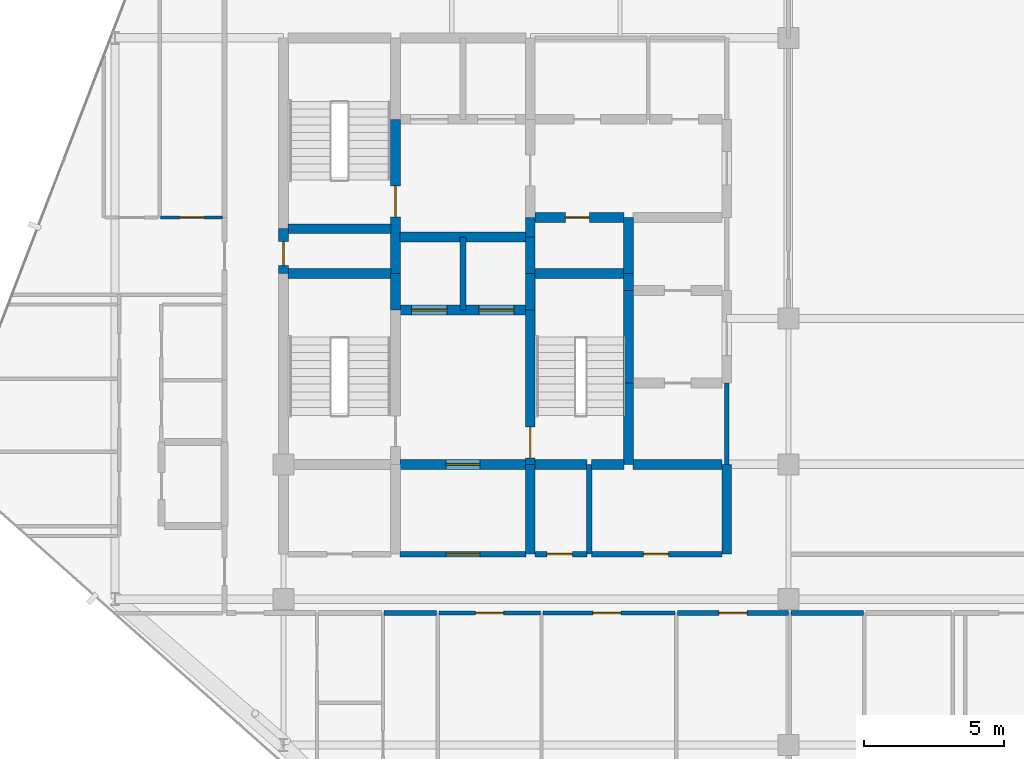
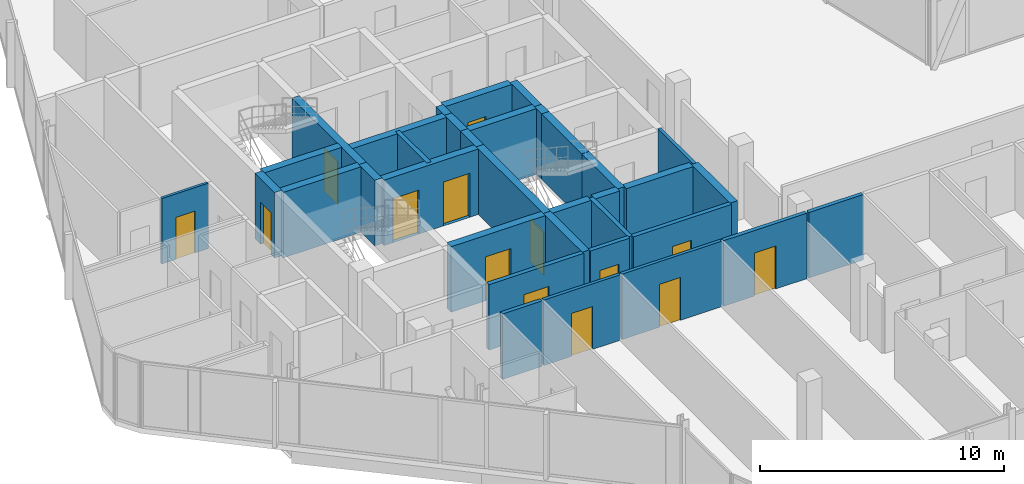
# One storey, part 24 of 28: 35 walls, 14 doors, 14 openings.
"""IFC4 building model written with IfcOpenShell, lengths in metres."""

import ifcopenshell
import ifcopenshell.guid

model = None  # the IFC model being written
_history = None  # IfcOwnerHistory: only IFC2X3 demands one
_inside = {}  # id of a spatial element -> (the spatial element, [elements in it])
_under = {}  # id of a project, library or spatial element -> (it, [spatial elements below it])
_declared = {}  # id of a project -> (the project, [libraries it declares])
_typed = {}  # id of a type object -> (the type object, [elements of that type])
_made_of = {}  # id of a material, layer set ... -> (it, [elements and type objects made of it])


def new_model(schema):
    """Start an empty IFC model of exactly this schema.

    Asked for "IFC4X3", IfcOpenShell would pick the latest addendum, in which some entities
    have other attributes; the version numbers below select the first issue.
    IFC2X3 requires an IfcOwnerHistory on every rooted entity: one is made here for all.
    """
    global model, _history
    if schema == "IFC4X3":
        model = ifcopenshell.file(schema_version=(4, 3, 0, 0))
    else:
        model = ifcopenshell.file(schema=schema)
    _inside.clear()
    _under.clear()
    _declared.clear()
    _typed.clear()
    _made_of.clear()
    _history = None
    if model.schema == "IFC2X3":
        org = make("IfcOrganization", Name="unknown")
        user = make(
            "IfcPersonAndOrganization",
            ThePerson=make("IfcPerson", FamilyName="unknown"),
            TheOrganization=org,
        )
        app = make(
            "IfcApplication",
            ApplicationDeveloper=org,
            Version="unknown",
            ApplicationFullName="unknown",
            ApplicationIdentifier="unknown",
        )
        _history = make(
            "IfcOwnerHistory",
            OwningUser=user,
            OwningApplication=app,
            ChangeAction="ADDED",
            CreationDate=0,
        )
    return model


def make(cls, **values):
    """One entity of the class cls with the attributes given. An attribute that is None is left unset."""
    return model.create_entity(
        cls, **{name: value for name, value in values.items() if value is not None}
    )


def rooted(cls, **values):
    """An entity with a GlobalId (a new one), such as an element, a storey or a relation."""
    return make(cls, GlobalId=ifcopenshell.guid.new(), OwnerHistory=_history, **values)


def si_unit(unit_type, name, prefix=None):
    """IfcSIUnit, for example si_unit("LENGTHUNIT", "METRE", prefix="MILLI")."""
    return make("IfcSIUnit", UnitType=unit_type, Prefix=prefix, Name=name)


def assignment(units):
    """IfcUnitAssignment: the units of a project."""
    return None if units is None else make("IfcUnitAssignment", Units=units)


def point(xyz):
    """IfcCartesianPoint."""
    return None if xyz is None else make("IfcCartesianPoint", Coordinates=xyz)


def direction(xyz):
    """IfcDirection."""
    return None if xyz is None else make("IfcDirection", DirectionRatios=xyz)


def frame(location, z_axis=None, x_axis=None):
    """IfcAxis2Placement3D, a coordinate frame: its origin and axes. An axis left out is left unset."""
    return make(
        "IfcAxis2Placement3D",
        Location=point(location),
        Axis=direction(z_axis),
        RefDirection=direction(x_axis),
    )


def frame_2d(location, x_axis=None):
    """IfcAxis2Placement2D, a coordinate frame in the plane: its origin and x axis."""
    return make(
        "IfcAxis2Placement2D", Location=point(location), RefDirection=direction(x_axis)
    )


def origin():
    """The frame at (0, 0, 0) with its axes left unset."""
    return frame((0.0, 0.0, 0.0))


def place(relative_to, where):
    """IfcLocalPlacement: puts the frame where relative to a parent placement (None: the world)."""
    return make(
        "IfcLocalPlacement", PlacementRelTo=relative_to, RelativePlacement=where
    )


def context(
    kind, dimensions, precision=None, world=None, true_north=None, identifier=None
):
    """IfcGeometricRepresentationContext, for example the 3D "Model" context."""
    return make(
        "IfcGeometricRepresentationContext",
        ContextIdentifier=identifier,
        ContextType=kind,
        CoordinateSpaceDimension=dimensions,
        Precision=precision,
        WorldCoordinateSystem=world,
        TrueNorth=true_north,
    )


def subcontext(parent, identifier, kind, view, scale=None):
    """IfcGeometricRepresentationSubContext, for example "Body" below "Model"."""
    return make(
        "IfcGeometricRepresentationSubContext",
        ContextIdentifier=identifier,
        ContextType=kind,
        ParentContext=parent,
        TargetScale=scale,
        TargetView=view,
    )


def project(units=None, contexts=None):
    """IfcProject with its units and contexts."""
    return rooted(
        "IfcProject",
        Name="project",
        RepresentationContexts=contexts,
        UnitsInContext=assignment(units),
    )


def spatial(cls, under=None, at=None, **own):
    """A site, building, storey or space (cls), placed at a placement, below another one or the project."""
    s = rooted(cls, ObjectPlacement=at, **own)
    if under is not None:
        _under.setdefault(under.id(), (under, []))[1].append(s)
    return s


def profile(cls, at=None, kind="AREA", **sizes):
    """A parametric profile (cls). Its sizes go by their IFC names, for example OverallWidth=200.0."""
    return make(cls, ProfileType=kind, Position=at, **sizes)


def rectangle(**sizes):
    """IfcRectangleProfileDef."""
    return profile("IfcRectangleProfileDef", **sizes)


def extrude(swept, where, along, depth):
    """IfcExtrudedAreaSolid: the profile swept, set in the frame where, extruded along a direction by depth."""
    return make(
        "IfcExtrudedAreaSolid",
        SweptArea=swept,
        Position=where,
        ExtrudedDirection=direction(along),
        Depth=depth,
    )


def shape(context_of_items, identifier, shape_type, items):
    """IfcShapeRepresentation: the items that make up one representation, for example the "Body"."""
    return make(
        "IfcShapeRepresentation",
        ContextOfItems=context_of_items,
        RepresentationIdentifier=identifier,
        RepresentationType=shape_type,
        Items=items,
    )


def material(Name=None, Category=None):
    """IfcMaterial."""
    return make("IfcMaterial", Name=Name, Category=Category)


def layer(
    of_material, thickness, ventilated=None, Name=None, Category=None, Priority=None
):
    """IfcMaterialLayer: one layer of a wall or slab, of a material (None: an air gap)."""
    return make(
        "IfcMaterialLayer",
        Material=of_material,
        LayerThickness=thickness,
        IsVentilated=ventilated,
        Name=Name,
        Category=Category,
        Priority=Priority,
    )


def layer_set(layers, Name=None):
    """IfcMaterialLayerSet."""
    return make("IfcMaterialLayerSet", MaterialLayers=layers, LayerSetName=Name)


def made_of(thing, what):
    """Note that an element or type object is made of a material, layer set ...; save() writes the relation."""
    if what is not None:
        _made_of.setdefault(what.id(), (what, []))[1].append(thing)
    return thing


def type_object(cls, material=None, **own):
    """A type object (cls), such as IfcWallType, which elements share."""
    return made_of(rooted(cls, **own), material)


def element(
    cls,
    number,
    at=None,
    inside=None,
    cuts=None,
    type_object=None,
    material=None,
    context=None,
    identifier="Body",
    shape_type=None,
    held_by="IfcProductDefinitionShape",
    body=None,
    shapes=None,
    **own,
):
    """One element of the class cls, such as IfcWall. Its Tag is "e" and its number.

    at: its placement. inside: the storey or other place that contains it. cuts: it is an
    opening in that element (IfcRelVoidsElement). A single representation is given by context,
    identifier, shape_type and body (its items); several are given by shapes. held_by: the class
    of the entity that holds the representations. save() writes the other relations.
    """
    e = rooted(cls, Tag="e%d" % number, ObjectPlacement=at, **own)
    if body is not None:
        shapes = [shape(context, identifier, shape_type, body)]
    if shapes is not None:
        e.Representation = make(held_by, Representations=shapes)
    if inside is not None:
        _inside.setdefault(inside.id(), (inside, []))[1].append(e)
    if cuts is not None:
        rooted(
            "IfcRelVoidsElement", RelatingBuildingElement=cuts, RelatedOpeningElement=e
        )
    if type_object is not None:
        _typed.setdefault(type_object.id(), (type_object, []))[1].append(e)
    return made_of(e, material)


def fill(opening, filler):
    """IfcRelFillsElement: the door or window that sits in an opening."""
    return rooted(
        "IfcRelFillsElement",
        RelatingOpeningElement=opening,
        RelatedBuildingElement=filler,
    )


def aggregate(whole, parts):
    """IfcRelAggregates: a whole, such as a stair, and the parts it consists of."""
    return rooted("IfcRelAggregates", RelatingObject=whole, RelatedObjects=parts)


def save(model, path):
    """Write the relations noted so far, then the file.

    IfcRelAggregates (storeys below a building ...), IfcRelContainedInSpatialStructure (elements
    in a storey), IfcRelDefinesByType, IfcRelAssociatesMaterial and IfcRelDeclares: one each for
    every whole, place, type object, material and project.
    """
    for whole, parts in _under.values():
        aggregate(whole, parts)
    for where, things in _inside.values():
        rooted(
            "IfcRelContainedInSpatialStructure",
            RelatedElements=things,
            RelatingStructure=where,
        )
    for kind, things in _typed.values():
        rooted("IfcRelDefinesByType", RelatedObjects=things, RelatingType=kind)
    for what, things in _made_of.values():
        rooted("IfcRelAssociatesMaterial", RelatedObjects=things, RelatingMaterial=what)
    for by, libraries in _declared.values():
        rooted("IfcRelDeclares", RelatingContext=by, RelatedDefinitions=libraries)
    model.write(path)


model = new_model("IFC4")

# Units and contexts
model_context = context("Model", 3, precision=1e-05, world=origin(), true_north=direction((0.0, 1.0)))
body_context = subcontext(model_context, "Body", "Model", "MODEL_VIEW")
ifc_project = project(units=[si_unit("LENGTHUNIT", "METRE"), si_unit("AREAUNIT", "SQUARE_METRE"), si_unit("VOLUMEUNIT", "CUBIC_METRE"), si_unit("PLANEANGLEUNIT", "RADIAN"), si_unit("MASSUNIT", "GRAM", prefix="KILO")], contexts=[model_context])

# Site, building, storey
site_placement = place(None, origin())
site = spatial("IfcSite", under=ifc_project, at=site_placement, CompositionType="ELEMENT")
building_placement = place(site_placement, origin())
building = spatial("IfcBuilding", under=site, at=building_placement, Name="Keshet Zoharim Tower", CompositionType="ELEMENT")
storey_placement = place(building_placement, frame((0.0, 0.0, 233.89990234375)))
storey = spatial("IfcBuildingStorey", under=building, at=storey_placement, Name="L58", CompositionType="ELEMENT", Elevation=233.89990234375)

# Wall
ifc_material_1 = material(Name="Gypsum Plasterboard", Category="gypsum")
ifc_layer_1 = layer(ifc_material_1, 0.14990234375)
ifc_layer_set_1 = layer_set([ifc_layer_1], Name="Gypsum Plasterboard")
wall_type_1 = type_object("IfcWallType", Name="WL-CLIN-150", PredefinedType="STANDARD", material=ifc_layer_set_1)
wall_1_placement = place(storey_placement, frame((30.800048828125, 22.699951171875, 0.0), z_axis=(0.0, 0.0, 1.0), x_axis=(0.0, 1.0, 0.0)))
element("IfcWall", 1, at=wall_1_placement, inside=storey, type_object=wall_type_1, Name="L58 Interior Wall 054", PredefinedType="STANDARD", context=body_context, shape_type="SweptSolid", body=[
    extrude(rectangle(XDim=2.900146484375, YDim=0.14990234375, at=frame_2d((1.4501953125, 0.0))), origin(), (0.0, 0.0, 1.0), 3.280029296875),
])

# Wall, opening, door
wall_2_placement = place(storey_placement, frame((20.544921875, 17.39990234375, 0.0), z_axis=(0.0, 0.0, 1.0), x_axis=(1.0, 0.0, 0.0)))
wall_2 = element("IfcWall", 2, at=wall_2_placement, inside=storey, type_object=wall_type_1, Name="L58 Interior Wall 097", PredefinedType="STANDARD", context=body_context, shape_type="SweptSolid", body=[
    extrude(rectangle(XDim=3.610107421875, YDim=0.14990234375, at=frame_2d((1.80517578125, 0.0))), origin(), (0.0, 0.0, 1.0), 3.280029296875),
])
opening_1_placement = place(wall_2_placement, frame((1.304931640625, 0.0, 0.0)))
opening_1 = element("IfcOpeningElement", 3, at=opening_1_placement, cuts=wall_2, Name="Opening D-F310", PredefinedType="OPENING", context=body_context, shape_type="SweptSolid", body=[
    extrude(rectangle(XDim=1.0, YDim=2.14990234375, at=frame_2d((0.5, 1.074951171875))), frame((0.0, 0.0849609375, 0.0), z_axis=(0.0, -1.0, 0.0), x_axis=(1.0, 0.0, 0.0)), (0.0, 0.0, 1.0), 0.169921875),
])
ifc_material_2 = material(Name="Hardwood Timber", Category="wood")
door_type_1 = type_object("IfcDoorType", Name="DR-FD30-100", OperationType="NOTDEFINED", PredefinedType="DOOR", material=ifc_material_2)
door_1_placement = place(opening_1_placement, origin())
door_1 = element("IfcDoor", 4, at=door_1_placement, inside=storey, type_object=door_type_1, Name="L58 Quiet Telework Office Door", OperationType="SINGLE_SWING_LEFT", OverallHeight=2.14990234375, OverallWidth=1.0, PredefinedType="DOOR", context=body_context, shape_type="SweptSolid", body=[
    extrude(rectangle(XDim=1.0, YDim=2.14990234375, at=frame_2d((0.5, 1.074951171875))), frame((0.0, 0.02490234375, 0.0), z_axis=(0.0, -1.0, 0.0), x_axis=(1.0, 0.0, 0.0)), (0.0, 0.0, 1.0), 0.050048828125),
])
fill(opening_1, door_1)

wall_3_placement = place(storey_placement, frame((24.2451171875, 17.39990234375, 0.0), z_axis=(0.0, 0.0, 1.0), x_axis=(1.0, 0.0, 0.0)))
wall_3 = element("IfcWall", 5, at=wall_3_placement, inside=storey, type_object=wall_type_1, Name="L58 Interior Wall 098", PredefinedType="STANDARD", context=body_context, shape_type="SweptSolid", body=[
    extrude(rectangle(XDim=4.7099609375, YDim=0.14990234375, at=frame_2d((2.35498046875, 0.0))), origin(), (0.0, 0.0, 1.0), 3.280029296875),
])
opening_2_placement = place(wall_3_placement, frame((1.781982421875, 0.0, 0.0)))
opening_2 = element("IfcOpeningElement", 6, at=opening_2_placement, cuts=wall_3, Name="Opening D-F310", PredefinedType="OPENING", context=body_context, shape_type="SweptSolid", body=[
    extrude(rectangle(XDim=1.0, YDim=2.14990234375, at=frame_2d((0.5, 1.074951171875))), frame((0.0, 0.0849609375, 0.0), z_axis=(0.0, -1.0, 0.0), x_axis=(1.0, 0.0, 0.0)), (0.0, 0.0, 1.0), 0.169921875),
])
door_2_placement = place(opening_2_placement, origin())
door_2 = element("IfcDoor", 7, at=door_2_placement, inside=storey, type_object=door_type_1, Name="L58 Residents Game Lounge Door", OperationType="SINGLE_SWING_RIGHT", OverallHeight=2.14990234375, OverallWidth=1.0, PredefinedType="DOOR", context=body_context, shape_type="SweptSolid", body=[
    extrude(rectangle(XDim=1.0, YDim=2.14990234375, at=frame_2d((0.5, 1.074951171875))), frame((0.0, 0.02490234375, 0.0), z_axis=(0.0, -1.0, 0.0), x_axis=(1.0, 0.0, 0.0)), (0.0, 0.0, 1.0), 0.050048828125),
])
fill(opening_2, door_2)

ifc_material_3 = material(Name="Concrete C60/75", Category="concrete")
ifc_layer_2 = layer(ifc_material_3, 0.35009765625)
ifc_layer_set_2 = layer_set([ifc_layer_2], Name="Concrete C60/75")
wall_type_2 = type_object("IfcWallType", Name="WL-CORE-350", PredefinedType="SHEAR", material=ifc_layer_set_2)
wall_4_placement = place(storey_placement, frame((15.0, 29.5, 0.0), z_axis=(0.0, 0.0, 1.0), x_axis=(0.0, 1.0, 0.0)))
wall_4 = element("IfcWall", 8, at=wall_4_placement, inside=storey, type_object=wall_type_2, Name="L58 Core Shear Wall 020", PredefinedType="SHEAR", context=body_context, shape_type="SweptSolid", body=[
    extrude(rectangle(XDim=1.60009765625, YDim=0.35009765625, at=frame_2d((0.800048828125, 0.0))), origin(), (0.0, 0.0, 1.0), 3.280029296875),
])
opening_3_placement = place(wall_4_placement, frame((0.287109375, 0.0, 0.0)))
opening_3 = element("IfcOpeningElement", 9, at=opening_3_placement, cuts=wall_4, Name="Opening D-RS85", PredefinedType="OPENING", context=body_context, shape_type="SweptSolid", body=[
    extrude(rectangle(XDim=0.85009765625, YDim=2.10009765625, at=frame_2d((0.425048828125, 1.050048828125))), frame((0.0, 0.18505859375, 0.0), z_axis=(0.0, -1.0, 0.0), x_axis=(1.0, 0.0, 0.0)), (0.0, 0.0, 1.0), 0.3701171875),
])
door_type_2 = type_object("IfcDoorType", Name="DR-RIS-085", OperationType="NOTDEFINED", PredefinedType="DOOR", material=ifc_material_2)
door_3_placement = place(opening_3_placement, origin())
door_3 = element("IfcDoor", 10, at=door_3_placement, inside=storey, type_object=door_type_2, Name="L58 Electrical Riser Access Cupboard Door", OperationType="SINGLE_SWING_RIGHT", OverallHeight=2.10009765625, OverallWidth=0.85009765625, PredefinedType="DOOR", context=body_context, shape_type="SweptSolid", body=[
    extrude(rectangle(XDim=0.85009765625, YDim=2.10009765625, at=frame_2d((0.425048828125, 1.050048828125))), frame((0.0, 0.02490234375, 0.0), z_axis=(0.0, -1.0, 0.0), x_axis=(1.0, 0.0, 0.0)), (0.0, 0.0, 1.0), 0.050048828125),
])
fill(opening_3, door_3)

# Wall
wall_5_placement = place(storey_placement, frame((19.0, 28.199951171875, 0.0), z_axis=(0.0, 0.0, 1.0), x_axis=(0.0, 1.0, 0.0)))
element("IfcWall", 11, at=wall_5_placement, inside=storey, type_object=wall_type_2, Name="L58 Core Shear Wall 028", PredefinedType="SHEAR", context=body_context, shape_type="SweptSolid", body=[
    extrude(rectangle(XDim=1.300048828125, YDim=0.35009765625, at=frame_2d((0.64990234375, 0.0))), origin(), (0.0, 0.0, 1.0), 3.280029296875),
])

# Wall, opening, door
wall_6_placement = place(storey_placement, frame((19.0, 29.5, 0.0), z_axis=(0.0, 0.0, 1.0), x_axis=(0.0, 1.0, 0.0)))
wall_6 = element("IfcWall", 12, at=wall_6_placement, inside=storey, type_object=wall_type_2, Name="L58 Core Shear Wall 029", PredefinedType="SHEAR", context=body_context, shape_type="SweptSolid", body=[
    extrude(rectangle(XDim=5.5, YDim=0.35009765625, at=frame_2d((2.75, 0.0))), origin(), (0.0, 0.0, 1.0), 3.280029296875),
])
opening_4_placement = place(wall_6_placement, frame((2.02490234375, 0.0, 0.0)))
opening_4 = element("IfcOpeningElement", 13, at=opening_4_placement, cuts=wall_6, Name="Opening D-F611", PredefinedType="OPENING", context=body_context, shape_type="SweptSolid", body=[
    extrude(rectangle(XDim=1.10009765625, YDim=2.14990234375, at=frame_2d((0.550048828125, 1.074951171875))), frame((0.0, 0.18505859375, 0.0), z_axis=(0.0, -1.0, 0.0), x_axis=(1.0, 0.0, 0.0)), (0.0, 0.0, 1.0), 0.3701171875),
])
door_type_3 = type_object("IfcDoorType", Name="DR-FD60-110", OperationType="NOTDEFINED", PredefinedType="DOOR", material=ifc_material_2)
door_4_placement = place(opening_4_placement, origin())
door_4 = element("IfcDoor", 14, at=door_4_placement, inside=storey, type_object=door_type_3, Name="L58 Exit Stair ST-02 Fire Door", OperationType="SINGLE_SWING_RIGHT", OverallHeight=2.14990234375, OverallWidth=1.10009765625, PredefinedType="DOOR", context=body_context, shape_type="SweptSolid", body=[
    extrude(rectangle(XDim=1.10009765625, YDim=2.14990234375, at=frame_2d((0.550048828125, 1.074951171875))), frame((0.0, 0.02490234375, 0.0), z_axis=(0.0, -1.0, 0.0), x_axis=(1.0, 0.0, 0.0)), (0.0, 0.0, 1.0), 0.050048828125),
])
fill(opening_4, door_4)

# Wall
wall_7_placement = place(storey_placement, frame((23.800048828125, 19.5, 0.0), z_axis=(0.0, 0.0, 1.0), x_axis=(0.0, 1.0, 0.0)))
element("IfcWall", 15, at=wall_7_placement, inside=storey, type_object=wall_type_2, Name="L58 Core Shear Wall 037", PredefinedType="SHEAR", context=body_context, shape_type="SweptSolid", body=[
    extrude(rectangle(XDim=3.199951171875, YDim=0.35009765625, at=frame_2d((1.60009765625, 0.0))), origin(), (0.0, 0.0, 1.0), 3.280029296875),
])

# Wall, opening, door
wall_8_placement = place(storey_placement, frame((23.800048828125, 22.699951171875, 0.0), z_axis=(0.0, 0.0, 1.0), x_axis=(0.0, 1.0, 0.0)))
wall_8 = element("IfcWall", 16, at=wall_8_placement, inside=storey, type_object=wall_type_2, Name="L58 Core Shear Wall 038", PredefinedType="SHEAR", context=body_context, shape_type="SweptSolid", body=[
    extrude(rectangle(XDim=5.5, YDim=0.35009765625, at=frame_2d((2.75, 0.0))), origin(), (0.0, 0.0, 1.0), 3.280029296875),
])
opening_5_placement = place(wall_8_placement, frame((0.235107421875, 0.0, 0.0)))
opening_5 = element("IfcOpeningElement", 17, at=opening_5_placement, cuts=wall_8, Name="Opening D-F611", PredefinedType="OPENING", context=body_context, shape_type="SweptSolid", body=[
    extrude(rectangle(XDim=1.10009765625, YDim=2.14990234375, at=frame_2d((0.550048828125, 1.074951171875))), frame((0.0, 0.18505859375, 0.0), z_axis=(0.0, -1.0, 0.0), x_axis=(1.0, 0.0, 0.0)), (0.0, 0.0, 1.0), 0.3701171875),
])
door_5_placement = place(opening_5_placement, frame((1.10009765625, 0.0, 0.0), z_axis=(0.0, 0.0, 1.0), x_axis=(-1.0, 0.0, 0.0)))
door_5 = element("IfcDoor", 18, at=door_5_placement, inside=storey, type_object=door_type_3, Name="L58 Exit Stair ST-03 Fire Door", OperationType="SINGLE_SWING_RIGHT", OverallHeight=2.14990234375, OverallWidth=1.10009765625, PredefinedType="DOOR", context=body_context, shape_type="SweptSolid", body=[
    extrude(rectangle(XDim=1.10009765625, YDim=2.14990234375, at=frame_2d((0.550048828125, 1.074951171875))), frame((0.0, 0.02490234375, 0.0), z_axis=(0.0, -1.0, 0.0), x_axis=(1.0, 0.0, 0.0)), (0.0, 0.0, 1.0), 0.050048828125),
])
fill(opening_5, door_5)

# Walls
for number, where, z_axis, x_axis, name in (
    (19, (23.800048828125, 28.199951171875, 0.0), (0.0, 0.0, 1.0), (0.0, 1.0, 0.0), "L58 Core Shear Wall 039"),
    (20, (23.800048828125, 29.5, 0.0), (0.0, 0.0, 1.0), (0.0, 1.0, 0.0), "L58 Core Shear Wall 040"),
):
    element("IfcWall", number, at=place(storey_placement, frame(where, z_axis=z_axis, x_axis=x_axis)), inside=storey, type_object=wall_type_2, Name=name, PredefinedType="SHEAR", context=body_context, shape_type="SweptSolid", body=[
        extrude(rectangle(XDim=1.300048828125, YDim=0.35009765625, at=frame_2d((0.64990234375, 0.0))), origin(), (0.0, 0.0, 1.0), 3.280029296875),
    ])
wall_9_placement = place(storey_placement, frame((23.800048828125, 30.800048828125, 0.0), z_axis=(0.0, 0.0, 1.0), x_axis=(0.0, 1.0, 0.0)))
element("IfcWall", 21, at=wall_9_placement, inside=storey, type_object=wall_type_2, Name="L58 Core Shear Wall 041", PredefinedType="SHEAR", context=body_context, shape_type="SweptSolid", body=[
    extrude(rectangle(XDim=0.699951171875, YDim=0.35009765625, at=frame_2d((0.35009765625, 0.0))), origin(), (0.0, 0.0, 1.0), 3.280029296875),
])
wall_10_placement = place(storey_placement, frame((27.300048828125, 22.699951171875, 0.0), z_axis=(0.0, 0.0, 1.0), x_axis=(0.0, 1.0, 0.0)))
element("IfcWall", 22, at=wall_10_placement, inside=storey, type_object=wall_type_2, Name="L58 Core Shear Wall 046", PredefinedType="SHEAR", context=body_context, shape_type="SweptSolid", body=[
    extrude(rectangle(XDim=2.900146484375, YDim=0.35009765625, at=frame_2d((1.4501953125, 0.0))), origin(), (0.0, 0.0, 1.0), 3.280029296875),
])
wall_11_placement = place(storey_placement, frame((27.300048828125, 25.60009765625, 0.0), z_axis=(0.0, 0.0, 1.0), x_axis=(0.0, 1.0, 0.0)))
element("IfcWall", 23, at=wall_11_placement, inside=storey, type_object=wall_type_2, Name="L58 Core Shear Wall 047", PredefinedType="SHEAR", context=body_context, shape_type="SweptSolid", body=[
    extrude(rectangle(XDim=3.2998046875, YDim=0.35009765625, at=frame_2d((1.64990234375, 0.0))), origin(), (0.0, 0.0, 1.0), 3.280029296875),
])
wall_12_placement = place(storey_placement, frame((27.300048828125, 28.89990234375, 0.0), z_axis=(0.0, 0.0, 1.0), x_axis=(0.0, 1.0, 0.0)))
element("IfcWall", 24, at=wall_12_placement, inside=storey, type_object=wall_type_2, Name="L58 Core Shear Wall 048", PredefinedType="SHEAR", context=body_context, shape_type="SweptSolid", body=[
    extrude(rectangle(XDim=0.60009765625, YDim=0.35009765625, at=frame_2d((0.300048828125, 0.0))), origin(), (0.0, 0.0, 1.0), 3.280029296875),
])
wall_13_placement = place(storey_placement, frame((27.300048828125, 29.5, 0.0), z_axis=(0.0, 0.0, 1.0), x_axis=(0.0, 1.0, 0.0)))
element("IfcWall", 25, at=wall_13_placement, inside=storey, type_object=wall_type_2, Name="L58 Core Shear Wall 049", PredefinedType="SHEAR", context=body_context, shape_type="SweptSolid", body=[
    extrude(rectangle(XDim=2.0, YDim=0.35009765625, at=frame_2d((1.0, 0.0))), origin(), (0.0, 0.0, 1.0), 3.280029296875),
])
wall_14_placement = place(storey_placement, frame((30.800048828125, 19.5, 0.0), z_axis=(0.0, 0.0, 1.0), x_axis=(0.0, 1.0, 0.0)))
element("IfcWall", 26, at=wall_14_placement, inside=storey, type_object=wall_type_2, Name="L58 Core Shear Wall 053", PredefinedType="SHEAR", context=body_context, shape_type="SweptSolid", body=[
    extrude(rectangle(XDim=3.199951171875, YDim=0.35009765625, at=frame_2d((1.60009765625, 0.0))), origin(), (0.0, 0.0, 1.0), 3.280029296875),
])

# Wall, opening, door
wall_15_placement = place(storey_placement, frame((19.159912109375, 22.699951171875, 0.0), z_axis=(0.0, 0.0, 1.0), x_axis=(1.0, 0.0, 0.0)))
wall_15 = element("IfcWall", 27, at=wall_15_placement, inside=storey, type_object=wall_type_2, Name="L58 Core Shear Wall 116", PredefinedType="SHEAR", context=body_context, shape_type="SweptSolid", body=[
    extrude(rectangle(XDim=4.47998046875, YDim=0.35009765625, at=frame_2d((2.239990234375, 0.0))), origin(), (0.0, 0.0, 1.0), 3.280029296875),
])
opening_6_placement = place(wall_15_placement, frame((1.639892578125, 0.0, 0.0)))
opening_6 = element("IfcOpeningElement", 28, at=opening_6_placement, cuts=wall_15, Name="Opening D-F612", PredefinedType="OPENING", context=body_context, shape_type="SweptSolid", body=[
    extrude(rectangle(XDim=1.199951171875, YDim=2.199951171875, at=frame_2d((0.60009765625, 1.10009765625))), frame((0.0, 0.18505859375, 0.0), z_axis=(0.0, -1.0, 0.0), x_axis=(1.0, 0.0, 0.0)), (0.0, 0.0, 1.0), 0.3701171875),
])
door_type_4 = type_object("IfcDoorType", Name="DR-FD60-120", OperationType="NOTDEFINED", PredefinedType="DOOR", material=ifc_material_2)
door_6_placement = place(opening_6_placement, origin())
door_6 = element("IfcDoor", 29, at=door_6_placement, inside=storey, type_object=door_type_4, Name="L58 South Core Lobby Fire Door", OperationType="SINGLE_SWING_LEFT", OverallHeight=2.199951171875, OverallWidth=1.199951171875, PredefinedType="DOOR", context=body_context, shape_type="SweptSolid", body=[
    extrude(rectangle(XDim=1.199951171875, YDim=2.199951171875, at=frame_2d((0.60009765625, 1.10009765625))), frame((0.0, 0.02490234375, 0.0), z_axis=(0.0, -1.0, 0.0), x_axis=(1.0, 0.0, 0.0)), (0.0, 0.0, 1.0), 0.050048828125),
])
fill(opening_6, door_6)

# Walls
wall_16_placement = place(storey_placement, frame((23.9599609375, 22.699951171875, 0.0), z_axis=(0.0, 0.0, 1.0), x_axis=(1.0, 0.0, 0.0)))
element("IfcWall", 30, at=wall_16_placement, inside=storey, type_object=wall_type_2, Name="L58 Core Shear Wall 117", PredefinedType="SHEAR", context=body_context, shape_type="SweptSolid", body=[
    extrude(rectangle(XDim=1.85498046875, YDim=0.35009765625, at=frame_2d((0.927490234375, 0.0))), origin(), (0.0, 0.0, 1.0), 3.280029296875),
])
wall_17_placement = place(storey_placement, frame((25.985107421875, 22.699951171875, 0.0), z_axis=(0.0, 0.0, 1.0), x_axis=(1.0, 0.0, 0.0)))
element("IfcWall", 31, at=wall_17_placement, inside=storey, type_object=wall_type_2, Name="L58 Core Shear Wall 118", PredefinedType="SHEAR", context=body_context, shape_type="SweptSolid", body=[
    extrude(rectangle(XDim=1.15478515625, YDim=0.35009765625, at=frame_2d((0.577392578125, 0.0))), origin(), (0.0, 0.0, 1.0), 3.280029296875),
])
wall_18_placement = place(storey_placement, frame((27.4599609375, 22.699951171875, 0.0), z_axis=(0.0, 0.0, 1.0), x_axis=(1.0, 0.0, 0.0)))
element("IfcWall", 32, at=wall_18_placement, inside=storey, type_object=wall_type_2, Name="L58 Core Shear Wall 119", PredefinedType="SHEAR", context=body_context, shape_type="SweptSolid", body=[
    extrude(rectangle(XDim=3.179931640625, YDim=0.35009765625, at=frame_2d((1.58984375, 0.0))), origin(), (0.0, 0.0, 1.0), 3.280029296875),
])

# Wall, openings, doors
wall_19_placement = place(storey_placement, frame((19.159912109375, 28.199951171875, 0.0), z_axis=(0.0, 0.0, 1.0), x_axis=(1.0, 0.0, 0.0)))
wall_19 = element("IfcWall", 33, at=wall_19_placement, inside=storey, type_object=wall_type_2, Name="L58 Core Shear Wall 125", PredefinedType="SHEAR", context=body_context, shape_type="SweptSolid", body=[
    extrude(rectangle(XDim=4.47998046875, YDim=0.35009765625, at=frame_2d((2.239990234375, 0.0))), origin(), (0.0, 0.0, 1.0), 3.280029296875),
])
opening_7_placement = place(wall_19_placement, frame((0.4150390625, 0.0, 0.0)))
opening_7 = element("IfcOpeningElement", 34, at=opening_7_placement, cuts=wall_19, Name="Opening LD-01", PredefinedType="OPENING", context=body_context, shape_type="SweptSolid", body=[
    extrude(rectangle(XDim=1.25, YDim=2.199951171875, at=frame_2d((0.625, 1.10009765625))), frame((0.0, 0.18505859375, 0.0), z_axis=(0.0, -1.0, 0.0), x_axis=(1.0, 0.0, 0.0)), (0.0, 0.0, 1.0), 0.3701171875),
])
opening_8_placement = place(wall_19_placement, frame((2.81494140625, 0.0, 0.0)))
opening_8 = element("IfcOpeningElement", 35, at=opening_8_placement, cuts=wall_19, Name="Opening LD-01", PredefinedType="OPENING", context=body_context, shape_type="SweptSolid", body=[
    extrude(rectangle(XDim=1.25, YDim=2.199951171875, at=frame_2d((0.625, 1.10009765625))), frame((0.0, 0.18505859375, 0.0), z_axis=(0.0, -1.0, 0.0), x_axis=(1.0, 0.0, 0.0)), (0.0, 0.0, 1.0), 0.3701171875),
])
ifc_material_4 = material(Name="Steel S355", Category="steel")
door_type_5 = type_object("IfcDoorType", Name="DR-LD01-125", OperationType="DOUBLE_DOOR_SLIDING", PredefinedType="DOOR", material=ifc_material_4)
door_7_placement = place(opening_7_placement, origin())
door_7 = element("IfcDoor", 36, at=door_7_placement, inside=storey, type_object=door_type_5, Name="L58 Passenger Lift Landing Door LF-09", OperationType="DOUBLE_DOOR_SLIDING", OverallHeight=2.199951171875, OverallWidth=1.25, PredefinedType="DOOR", context=body_context, shape_type="SweptSolid", body=[
    extrude(rectangle(XDim=1.25, YDim=2.199951171875, at=frame_2d((0.625, 1.10009765625))), frame((0.0, 0.02490234375, 0.0), z_axis=(0.0, -1.0, 0.0), x_axis=(1.0, 0.0, 0.0)), (0.0, 0.0, 1.0), 0.050048828125),
])
fill(opening_7, door_7)
door_8_placement = place(opening_8_placement, origin())
door_8 = element("IfcDoor", 37, at=door_8_placement, inside=storey, type_object=door_type_5, Name="L58 Passenger Lift Landing Door LF-10", OperationType="DOUBLE_DOOR_SLIDING", OverallHeight=2.199951171875, OverallWidth=1.25, PredefinedType="DOOR", context=body_context, shape_type="SweptSolid", body=[
    extrude(rectangle(XDim=1.25, YDim=2.199951171875, at=frame_2d((0.625, 1.10009765625))), frame((0.0, 0.02490234375, 0.0), z_axis=(0.0, -1.0, 0.0), x_axis=(1.0, 0.0, 0.0)), (0.0, 0.0, 1.0), 0.050048828125),
])
fill(opening_8, door_8)

# Walls
wall_20_placement = place(storey_placement, frame((15.159912109375, 29.5, 0.0), z_axis=(0.0, 0.0, 1.0), x_axis=(1.0, 0.0, 0.0)))
element("IfcWall", 38, at=wall_20_placement, inside=storey, type_object=wall_type_2, Name="L58 Core Shear Wall 131", PredefinedType="SHEAR", context=body_context, shape_type="SweptSolid", body=[
    extrude(rectangle(XDim=3.68017578125, YDim=0.35009765625, at=frame_2d((1.840087890625, 0.0))), origin(), (0.0, 0.0, 1.0), 3.280029296875),
])
wall_21_placement = place(storey_placement, frame((23.9599609375, 29.5, 0.0), z_axis=(0.0, 0.0, 1.0), x_axis=(1.0, 0.0, 0.0)))
element("IfcWall", 39, at=wall_21_placement, inside=storey, type_object=wall_type_2, Name="L58 Core Shear Wall 132", PredefinedType="SHEAR", context=body_context, shape_type="SweptSolid", body=[
    extrude(rectangle(XDim=3.179931640625, YDim=0.35009765625, at=frame_2d((1.58984375, 0.0))), origin(), (0.0, 0.0, 1.0), 3.280029296875),
])
wall_22_placement = place(storey_placement, frame((19.159912109375, 30.800048828125, 0.0), z_axis=(0.0, 0.0, 1.0), x_axis=(1.0, 0.0, 0.0)))
element("IfcWall", 40, at=wall_22_placement, inside=storey, type_object=wall_type_2, Name="L58 Core Shear Wall 133", PredefinedType="SHEAR", context=body_context, shape_type="SweptSolid", body=[
    extrude(rectangle(XDim=4.47998046875, YDim=0.35009765625, at=frame_2d((2.239990234375, 0.0))), origin(), (0.0, 0.0, 1.0), 3.280029296875),
])
wall_23_placement = place(storey_placement, frame((15.159912109375, 31.10009765625, 0.0), z_axis=(0.0, 0.0, 1.0), x_axis=(1.0, 0.0, 0.0)))
element("IfcWall", 41, at=wall_23_placement, inside=storey, type_object=wall_type_2, Name="L58 Core Shear Wall 134", PredefinedType="SHEAR", context=body_context, shape_type="SweptSolid", body=[
    extrude(rectangle(XDim=3.68017578125, YDim=0.35009765625, at=frame_2d((1.840087890625, 0.0))), origin(), (0.0, 0.0, 1.0), 3.280029296875),
])

# Wall, opening, door
wall_24_placement = place(storey_placement, frame((23.9599609375, 31.5, 0.0), z_axis=(0.0, 0.0, 1.0), x_axis=(1.0, 0.0, 0.0)))
wall_24 = element("IfcWall", 42, at=wall_24_placement, inside=storey, type_object=wall_type_2, Name="L58 Core Shear Wall 137", PredefinedType="SHEAR", context=body_context, shape_type="SweptSolid", body=[
    extrude(rectangle(XDim=3.179931640625, YDim=0.35009765625, at=frame_2d((1.58984375, 0.0))), origin(), (0.0, 0.0, 1.0), 3.280029296875),
])
opening_9_placement = place(wall_24_placement, frame((1.093994140625, 0.0, 0.0)))
opening_9 = element("IfcOpeningElement", 43, at=opening_9_placement, cuts=wall_24, Name="Opening D-RS85", PredefinedType="OPENING", context=body_context, shape_type="SweptSolid", body=[
    extrude(rectangle(XDim=0.85009765625, YDim=2.10009765625, at=frame_2d((0.425048828125, 1.050048828125))), frame((0.0, 0.18505859375, 0.0), z_axis=(0.0, -1.0, 0.0), x_axis=(1.0, 0.0, 0.0)), (0.0, 0.0, 1.0), 0.3701171875),
])
door_9_placement = place(opening_9_placement, origin())
door_9 = element("IfcDoor", 44, at=door_9_placement, inside=storey, type_object=door_type_2, Name="L58 Telecom Riser Access Cupboard Door", OperationType="SINGLE_SWING_RIGHT", OverallHeight=2.10009765625, OverallWidth=0.85009765625, PredefinedType="DOOR", context=body_context, shape_type="SweptSolid", body=[
    extrude(rectangle(XDim=0.85009765625, YDim=2.10009765625, at=frame_2d((0.425048828125, 1.050048828125))), frame((0.0, 0.02490234375, 0.0), z_axis=(0.0, -1.0, 0.0), x_axis=(1.0, 0.0, 0.0)), (0.0, 0.0, 1.0), 0.050048828125),
])
fill(opening_9, door_9)

# Wall
ifc_layer_3 = layer(ifc_material_1, 0.179931640625)
ifc_layer_set_3 = layer_set([ifc_layer_3], Name="Gypsum Plasterboard")
wall_type_3 = type_object("IfcWallType", Name="WL-CORR-180", PredefinedType="STANDARD", material=ifc_layer_set_3)
wall_25_placement = place(storey_placement, frame((18.594970703125, 17.39990234375, 0.0), z_axis=(0.0, 0.0, 1.0), x_axis=(1.0, 0.0, 0.0)))
element("IfcWall", 45, at=wall_25_placement, inside=storey, type_object=wall_type_3, Name="L58 Interior Wall 096", PredefinedType="STANDARD", context=body_context, shape_type="SweptSolid", body=[
    extrude(rectangle(XDim=1.860107421875, YDim=0.179931640625, at=frame_2d((0.93017578125, 0.0))), origin(), (0.0, 0.0, 1.0), 3.280029296875),
])

# Wall, opening, door
wall_26_placement = place(storey_placement, frame((29.044921875, 17.39990234375, 0.0), z_axis=(0.0, 0.0, 1.0), x_axis=(1.0, 0.0, 0.0)))
wall_26 = element("IfcWall", 46, at=wall_26_placement, inside=storey, type_object=wall_type_3, Name="L58 Interior Wall 099", PredefinedType="STANDARD", context=body_context, shape_type="SweptSolid", body=[
    extrude(rectangle(XDim=3.9599609375, YDim=0.179931640625, at=frame_2d((1.97998046875, 0.0))), origin(), (0.0, 0.0, 1.0), 3.280029296875),
])
opening_10_placement = place(wall_26_placement, frame((1.47998046875, 0.0, 0.0)))
opening_10 = element("IfcOpeningElement", 47, at=opening_10_placement, cuts=wall_26, Name="Opening D-F310", PredefinedType="OPENING", context=body_context, shape_type="SweptSolid", body=[
    extrude(rectangle(XDim=1.0, YDim=2.14990234375, at=frame_2d((0.5, 1.074951171875))), frame((0.0, 0.10009765625, 0.0), z_axis=(0.0, -1.0, 0.0), x_axis=(1.0, 0.0, 0.0)), (0.0, 0.0, 1.0), 0.199951171875),
])
door_10_placement = place(opening_10_placement, origin())
door_10 = element("IfcDoor", 48, at=door_10_placement, inside=storey, type_object=door_type_1, Name="Apartment 5802 Entrance Door", OperationType="SINGLE_SWING_LEFT", OverallHeight=2.14990234375, OverallWidth=1.0, PredefinedType="DOOR", context=body_context, shape_type="SweptSolid", body=[
    extrude(rectangle(XDim=1.0, YDim=2.14990234375, at=frame_2d((0.5, 1.074951171875))), frame((0.0, 0.02490234375, 0.0), z_axis=(0.0, -1.0, 0.0), x_axis=(1.0, 0.0, 0.0)), (0.0, 0.0, 1.0), 0.050048828125),
])
fill(opening_10, door_10)

# Walls
wall_27_placement = place(storey_placement, frame((33.094970703125, 17.39990234375, 0.0), z_axis=(0.0, 0.0, 1.0), x_axis=(1.0, 0.0, 0.0)))
element("IfcWall", 49, at=wall_27_placement, inside=storey, type_object=wall_type_3, Name="L58 Interior Wall 100", PredefinedType="STANDARD", context=body_context, shape_type="SweptSolid", body=[
    extrude(rectangle(XDim=2.578125, YDim=0.179931640625, at=frame_2d((1.2890625, 0.0))), origin(), (0.0, 0.0, 1.0), 3.280029296875),
])
ifc_material_5 = material(Name="Concrete C50/60", Category="concrete")
ifc_layer_4 = layer(ifc_material_5, 0.199951171875)
ifc_layer_set_4 = layer_set([ifc_layer_4], Name="Concrete C50/60")
wall_type_4 = type_object("IfcWallType", Name="WL-FIRE-200", PredefinedType="STANDARD", material=ifc_layer_set_4)
wall_28_placement = place(storey_placement, frame((21.39990234375, 28.199951171875, 0.0), z_axis=(0.0, 0.0, 1.0), x_axis=(0.0, 1.0, 0.0)))
element("IfcWall", 50, at=wall_28_placement, inside=storey, type_object=wall_type_4, Name="L58 Interior Wall 032", PredefinedType="STANDARD", context=body_context, shape_type="SweptSolid", body=[
    extrude(rectangle(XDim=2.60009765625, YDim=0.199951171875, at=frame_2d((1.300048828125, 0.0))), origin(), (0.0, 0.0, 1.0), 3.280029296875),
])
wall_29_placement = place(storey_placement, frame((25.89990234375, 19.5, 0.0), z_axis=(0.0, 0.0, 1.0), x_axis=(0.0, 1.0, 0.0)))
element("IfcWall", 51, at=wall_29_placement, inside=storey, type_object=wall_type_4, Name="L58 Interior Wall 045", PredefinedType="STANDARD", context=body_context, shape_type="SweptSolid", body=[
    extrude(rectangle(XDim=3.199951171875, YDim=0.199951171875, at=frame_2d((1.60009765625, 0.0))), origin(), (0.0, 0.0, 1.0), 3.280029296875),
])

# Wall, opening, door
wall_30_placement = place(storey_placement, frame((19.159912109375, 19.5, 0.0), z_axis=(0.0, 0.0, 1.0), x_axis=(1.0, 0.0, 0.0)))
wall_30 = element("IfcWall", 52, at=wall_30_placement, inside=storey, type_object=wall_type_4, Name="L58 Interior Wall 108", PredefinedType="STANDARD", context=body_context, shape_type="SweptSolid", body=[
    extrude(rectangle(XDim=4.47998046875, YDim=0.199951171875, at=frame_2d((2.239990234375, 0.0))), origin(), (0.0, 0.0, 1.0), 3.280029296875),
])
opening_11_placement = place(wall_30_placement, frame((1.639892578125, 0.0, 0.0)))
opening_11 = element("IfcOpeningElement", 53, at=opening_11_placement, cuts=wall_30, Name="Opening D-F612", PredefinedType="OPENING", context=body_context, shape_type="SweptSolid", body=[
    extrude(rectangle(XDim=1.199951171875, YDim=2.199951171875, at=frame_2d((0.60009765625, 1.10009765625))), frame((0.0, 0.10986328125, 0.0), z_axis=(0.0, -1.0, 0.0), x_axis=(1.0, 0.0, 0.0)), (0.0, 0.0, 1.0), 0.219970703125),
])
door_11_placement = place(opening_11_placement, origin())
door_11 = element("IfcDoor", 54, at=door_11_placement, inside=storey, type_object=door_type_4, Name="L58 South Vestibule Corridor Door", OperationType="SINGLE_SWING_LEFT", OverallHeight=2.199951171875, OverallWidth=1.199951171875, PredefinedType="DOOR", context=body_context, shape_type="SweptSolid", body=[
    extrude(rectangle(XDim=1.199951171875, YDim=2.199951171875, at=frame_2d((0.60009765625, 1.10009765625))), frame((0.0, 0.02490234375, 0.0), z_axis=(0.0, -1.0, 0.0), x_axis=(1.0, 0.0, 0.0)), (0.0, 0.0, 1.0), 0.050048828125),
])
fill(opening_11, door_11)

wall_31_placement = place(storey_placement, frame((23.9599609375, 19.5, 0.0), z_axis=(0.0, 0.0, 1.0), x_axis=(1.0, 0.0, 0.0)))
wall_31 = element("IfcWall", 55, at=wall_31_placement, inside=storey, type_object=wall_type_4, Name="L58 Interior Wall 109", PredefinedType="STANDARD", context=body_context, shape_type="SweptSolid", body=[
    extrude(rectangle(XDim=1.85498046875, YDim=0.199951171875, at=frame_2d((0.927490234375, 0.0))), origin(), (0.0, 0.0, 1.0), 3.280029296875),
])
opening_12_placement = place(wall_31_placement, frame((0.43994140625, 0.0, 0.0)))
opening_12 = element("IfcOpeningElement", 56, at=opening_12_placement, cuts=wall_31, Name="Opening D-F690", PredefinedType="OPENING", context=body_context, shape_type="SweptSolid", body=[
    extrude(rectangle(XDim=0.89990234375, YDim=2.14990234375, at=frame_2d((0.449951171875, 1.074951171875))), frame((0.0, 0.10986328125, 0.0), z_axis=(0.0, -1.0, 0.0), x_axis=(1.0, 0.0, 0.0)), (0.0, 0.0, 1.0), 0.219970703125),
])
door_type_6 = type_object("IfcDoorType", Name="DR-FD60-090", OperationType="NOTDEFINED", PredefinedType="DOOR", material=ifc_material_2)
door_12_placement = place(opening_12_placement, origin())
door_12 = element("IfcDoor", 57, at=door_12_placement, inside=storey, type_object=door_type_6, Name="L58 Cleaners Store Door", OperationType="SINGLE_SWING_RIGHT", OverallHeight=2.14990234375, OverallWidth=0.89990234375, PredefinedType="DOOR", context=body_context, shape_type="SweptSolid", body=[
    extrude(rectangle(XDim=0.89990234375, YDim=2.14990234375, at=frame_2d((0.449951171875, 1.074951171875))), frame((0.0, 0.02490234375, 0.0), z_axis=(0.0, -1.0, 0.0), x_axis=(1.0, 0.0, 0.0)), (0.0, 0.0, 1.0), 0.050048828125),
])
fill(opening_12, door_12)

wall_32_placement = place(storey_placement, frame((25.985107421875, 19.5, 0.0), z_axis=(0.0, 0.0, 1.0), x_axis=(1.0, 0.0, 0.0)))
wall_32 = element("IfcWall", 58, at=wall_32_placement, inside=storey, type_object=wall_type_4, Name="L58 Interior Wall 110", PredefinedType="STANDARD", context=body_context, shape_type="SweptSolid", body=[
    extrude(rectangle(XDim=4.65478515625, YDim=0.199951171875, at=frame_2d((2.327392578125, 0.0))), origin(), (0.0, 0.0, 1.0), 3.280029296875),
])
opening_13_placement = place(wall_32_placement, frame((1.844970703125, 0.0, 0.0)))
opening_13 = element("IfcOpeningElement", 59, at=opening_13_placement, cuts=wall_32, Name="Opening D-F690", PredefinedType="OPENING", context=body_context, shape_type="SweptSolid", body=[
    extrude(rectangle(XDim=0.89990234375, YDim=2.14990234375, at=frame_2d((0.449951171875, 1.074951171875))), frame((0.0, 0.10986328125, 0.0), z_axis=(0.0, -1.0, 0.0), x_axis=(1.0, 0.0, 0.0)), (0.0, 0.0, 1.0), 0.219970703125),
])
door_13_placement = place(opening_13_placement, origin())
door_13 = element("IfcDoor", 60, at=door_13_placement, inside=storey, type_object=door_type_6, Name="L58 Meter Room Door", OperationType="SINGLE_SWING_LEFT", OverallHeight=2.14990234375, OverallWidth=0.89990234375, PredefinedType="DOOR", context=body_context, shape_type="SweptSolid", body=[
    extrude(rectangle(XDim=0.89990234375, YDim=2.14990234375, at=frame_2d((0.449951171875, 1.074951171875))), frame((0.0, 0.02490234375, 0.0), z_axis=(0.0, -1.0, 0.0), x_axis=(1.0, 0.0, 0.0)), (0.0, 0.0, 1.0), 0.050048828125),
])
fill(opening_13, door_13)

ifc_layer_5 = layer(ifc_material_1, 0.1201171875)
ifc_layer_set_5 = layer_set([ifc_layer_5], Name="Gypsum Plasterboard")
wall_type_5 = type_object("IfcWallType", Name="WL-WET-120", PredefinedType="PARTITIONING", material=ifc_layer_set_5)
wall_33_placement = place(storey_placement, frame((10.623046875, 31.5, 0.0), z_axis=(0.0, 0.0, 1.0), x_axis=(1.0, 0.0, 0.0)))
wall_33 = element("IfcWall", 61, at=wall_33_placement, inside=storey, type_object=wall_type_5, Name="L58 Interior Wall 136", PredefinedType="PARTITIONING", context=body_context, shape_type="SweptSolid", body=[
    extrude(rectangle(XDim=2.201904296875, YDim=0.1201171875, at=frame_2d((1.10107421875, 0.0))), origin(), (0.0, 0.0, 1.0), 3.280029296875),
])
opening_14_placement = place(wall_33_placement, frame((0.666015625, 0.0, 0.0)))
opening_14 = element("IfcOpeningElement", 62, at=opening_14_placement, cuts=wall_33, Name="Opening D-WT90", PredefinedType="OPENING", context=body_context, shape_type="SweptSolid", body=[
    extrude(rectangle(XDim=0.89990234375, YDim=2.10009765625, at=frame_2d((0.449951171875, 1.050048828125))), frame((0.0, 0.070068359375, 0.0), z_axis=(0.0, -1.0, 0.0), x_axis=(1.0, 0.0, 0.0)), (0.0, 0.0, 1.0), 0.14013671875),
])
door_type_7 = type_object("IfcDoorType", Name="DR-WET-090", OperationType="NOTDEFINED", PredefinedType="DOOR", material=ifc_material_2)
door_14_placement = place(opening_14_placement, origin())
door_14 = element("IfcDoor", 63, at=door_14_placement, inside=storey, type_object=door_type_7, Name="Apartment 5807 Bathroom Door", OperationType="SINGLE_SWING_LEFT", OverallHeight=2.10009765625, OverallWidth=0.89990234375, PredefinedType="DOOR", context=body_context, shape_type="SweptSolid", body=[
    extrude(rectangle(XDim=0.89990234375, YDim=2.10009765625, at=frame_2d((0.449951171875, 1.050048828125))), frame((0.0, 0.02490234375, 0.0), z_axis=(0.0, -1.0, 0.0), x_axis=(1.0, 0.0, 0.0)), (0.0, 0.0, 1.0), 0.050048828125),
])
fill(opening_14, door_14)

save(model, "model.ifc")
